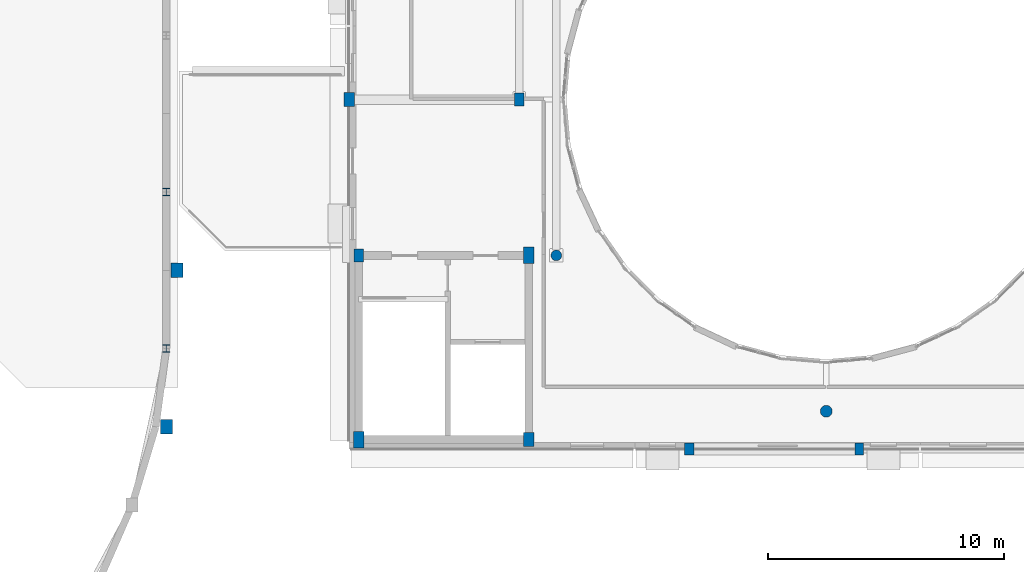
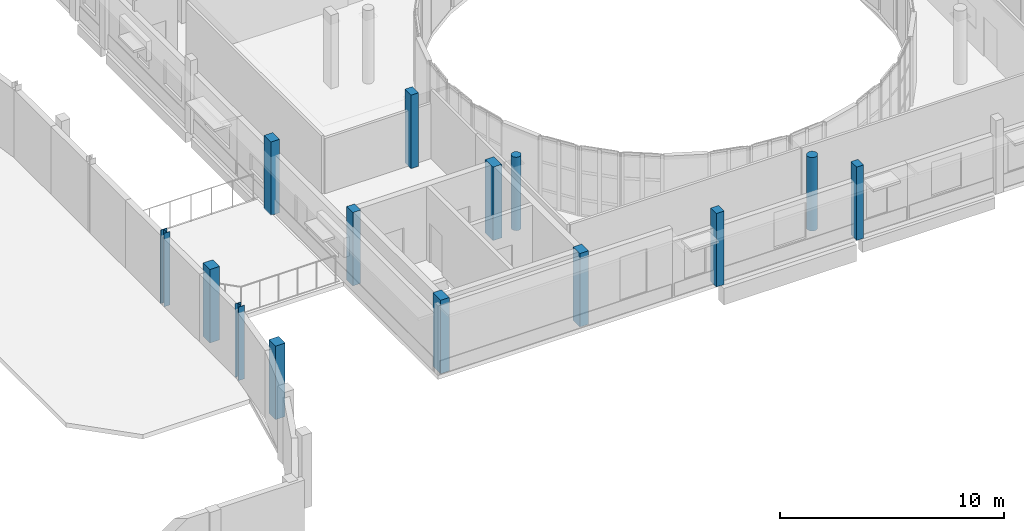
# One storey, part 3 of 89: 14 columns.
"""IFC4 building model written with IfcOpenShell, lengths in metres."""

from ifc_helpers import new_model, si_unit, direction, frame, origin, origin_2d, place, context, subcontext, project, spatial, rectangle, circle, i_section, extrude, material, material_profile, profile_set, type_object, element, save


model = new_model("IFC4")

# Units and contexts
model_context = context("Model", 3, precision=1e-05, world=origin(), true_north=direction((0.0, 1.0)))
body_context = subcontext(model_context, "Body", "Model", "MODEL_VIEW")
ifc_project = project(units=[si_unit("LENGTHUNIT", "METRE"), si_unit("AREAUNIT", "SQUARE_METRE"), si_unit("VOLUMEUNIT", "CUBIC_METRE"), si_unit("PLANEANGLEUNIT", "RADIAN"), si_unit("MASSUNIT", "GRAM", prefix="KILO")], contexts=[model_context])

# Site, building, storey
site_placement = place(None, origin())
site = spatial("IfcSite", under=ifc_project, at=site_placement, CompositionType="ELEMENT")
building_placement = place(site_placement, origin())
building = spatial("IfcBuilding", under=site, at=building_placement, Name="Kelanivale Promenade Academy", CompositionType="ELEMENT")
storey_placement = place(building_placement, frame((0.0, 0.0, 12.199951171875)))
storey = spatial("IfcBuildingStorey", under=building, at=storey_placement, Name="L03", CompositionType="ELEMENT", Elevation=12.199951171875)

# Columns
ifc_material_1 = material(Name="Concrete C40/50", Category="concrete")
ifc_material_profile_1 = material_profile(ifc_material_1, rectangle(XDim=0.39990234375, YDim=0.550048828125, at=origin_2d()), Name="RC-COL 400x550")
ifc_profile_set_1 = profile_set([ifc_material_profile_1], Name="Concrete C40/50")
column_type_1 = type_object("IfcColumnType", Name="C-07 RC-COL 400x550", PredefinedType="COLUMN", material=ifc_profile_set_1)
for number, where, z_axis, x_axis, name in (
    (1, (43.60009765625, 50.199951171875, 0.0), (0.0, 0.0, 1.0), (1.0, 0.0, 0.0), "Column C-07 at (43.6, 50.2) L03"),
    (2, (50.39990234375, 56.800048828125, 0.0), (0.0, 0.0, 1.0), (1.0, 0.0, 0.0), "Column C-07 at (50.4, 56.8) L03"),
):
    element("IfcColumn", number, at=place(storey_placement, frame(where, z_axis=z_axis, x_axis=x_axis)), inside=storey, type_object=column_type_1, Name=name, PredefinedType="COLUMN", context=body_context, shape_type="SweptSolid", body=[
        extrude(rectangle(XDim=0.39990234375, YDim=0.550048828125, at=origin_2d()), origin(), (0.0, 0.0, 1.0), 4.0),
    ])
ifc_material_profile_2 = material_profile(ifc_material_1, rectangle(XDim=0.449951171875, YDim=0.60009765625, at=origin_2d()), Name="RC-COL 450x600")
ifc_profile_set_2 = profile_set([ifc_material_profile_2], Name="Concrete C40/50")
column_type_2 = type_object("IfcColumnType", Name="C-09 RC-COL 450x600", PredefinedType="COLUMN", material=ifc_profile_set_2)
for number, where, z_axis, x_axis, name in (
    (3, (43.199951171875, 56.800048828125, 0.0), (0.0, 0.0, 1.0), (1.0, 0.0, 0.0), "Column C-09 at (43.2, 56.8) L03"),
    (4, (50.800048828125, 42.39990234375, 0.0), (0.0, 0.0, 1.0), (1.0, 0.0, 0.0), "Column C-09 at (50.8, 42.4) L03"),
):
    element("IfcColumn", number, at=place(storey_placement, frame(where, z_axis=z_axis, x_axis=x_axis)), inside=storey, type_object=column_type_2, Name=name, PredefinedType="COLUMN", context=body_context, shape_type="SweptSolid", body=[
        extrude(rectangle(XDim=0.449951171875, YDim=0.60009765625, at=origin_2d()), origin(), (0.0, 0.0, 1.0), 4.0),
    ])
ifc_material_profile_3 = material_profile(ifc_material_1, rectangle(XDim=0.449951171875, YDim=0.699951171875, at=origin_2d()), Name="RC-COL 450x700")
ifc_profile_set_3 = profile_set([ifc_material_profile_3], Name="Concrete C40/50")
column_type_3 = type_object("IfcColumnType", Name="C-10 RC-COL 450x700", PredefinedType="COLUMN", material=ifc_profile_set_3)
for number, where, z_axis, x_axis, name in (
    (5, (43.60009765625, 42.39990234375, 0.0), (0.0, 0.0, 1.0), (1.0, 0.0, 0.0), "Column C-10 at (43.6, 42.4) L03"),
    (6, (50.800048828125, 50.199951171875, 0.0), (0.0, 0.0, 1.0), (1.0, 0.0, 0.0), "Column C-10 at (50.8, 50.2) L03"),
):
    element("IfcColumn", number, at=place(storey_placement, frame(where, z_axis=z_axis, x_axis=x_axis)), inside=storey, type_object=column_type_3, Name=name, PredefinedType="COLUMN", context=body_context, shape_type="SweptSolid", body=[
        extrude(rectangle(XDim=0.449951171875, YDim=0.699951171875, at=origin_2d()), origin(), (0.0, 0.0, 1.0), 4.0),
    ])
ifc_material_profile_4 = material_profile(ifc_material_1, circle(Radius=0.22509765625, at=origin_2d()), Name="RC-COL D450")
ifc_profile_set_4 = profile_set([ifc_material_profile_4], Name="Concrete C40/50")
column_type_4 = type_object("IfcColumnType", Name="CC-19 RC-COL D450", PredefinedType="COLUMN", material=ifc_profile_set_4)
column_1_placement = place(storey_placement, frame((51.968017578125, 50.199951171875, 0.0), z_axis=(0.0, 0.0, 1.0), x_axis=(1.0, 0.0, 0.0)))
element("IfcColumn", 7, at=column_1_placement, inside=storey, type_object=column_type_4, Name="Column CC-19 at (52.0, 50.2) L03", PredefinedType="COLUMN", context=body_context, shape_type="SweptSolid", body=[
    extrude(circle(Radius=0.22509765625, at=origin_2d()), origin(), (0.0, 0.0, 1.0), 4.0),
])
ifc_material_profile_5 = material_profile(ifc_material_1, circle(Radius=0.25, at=origin_2d()), Name="RC-COL D500")
ifc_profile_set_5 = profile_set([ifc_material_profile_5], Name="Concrete C40/50")
column_type_5 = type_object("IfcColumnType", Name="CC-20 RC-COL D500", PredefinedType="COLUMN", material=ifc_profile_set_5)
column_2_placement = place(storey_placement, frame((63.39990234375, 43.60009765625, 0.0), z_axis=(0.0, 0.0, 1.0), x_axis=(1.0, 0.0, 0.0)))
element("IfcColumn", 8, at=column_2_placement, inside=storey, type_object=column_type_5, Name="Column CC-20 at (63.4, 43.6) L03", PredefinedType="COLUMN", context=body_context, shape_type="SweptSolid", body=[
    extrude(circle(Radius=0.25, at=origin_2d()), origin(), (0.0, 0.0, 1.0), 4.0),
])
ifc_material_profile_6 = material_profile(ifc_material_1, rectangle(XDim=0.35009765625, YDim=0.5, at=origin_2d()), Name="RC-PIL 350x500")
ifc_profile_set_6 = profile_set([ifc_material_profile_6], Name="Concrete C40/50")
column_type_6 = type_object("IfcColumnType", Name="PL-15 RC-PIL 350x500", PredefinedType="PILASTER", material=ifc_profile_set_6)
column_3_placement = place(storey_placement, frame((64.800048828125, 42.0, 0.0), z_axis=(0.0, 0.0, 1.0), x_axis=(1.0, 0.0, 0.0)))
element("IfcColumn", 9, at=column_3_placement, inside=storey, type_object=column_type_6, Name="Column PL-15 at (64.8, 42.0) L03", PredefinedType="PILASTER", context=body_context, shape_type="SweptSolid", body=[
    extrude(rectangle(XDim=0.35009765625, YDim=0.5, at=origin_2d()), origin(), (0.0, 0.0, 1.0), 4.0),
])
ifc_material_profile_7 = material_profile(ifc_material_1, rectangle(XDim=0.39990234375, YDim=0.5, at=origin_2d()), Name="RC-PIL 400x500")
ifc_profile_set_7 = profile_set([ifc_material_profile_7], Name="Concrete C40/50")
column_type_7 = type_object("IfcColumnType", Name="PL-16 RC-PIL 400x500", PredefinedType="PILASTER", material=ifc_profile_set_7)
column_4_placement = place(storey_placement, frame((57.60009765625, 42.0, 0.0), z_axis=(0.0, 0.0, 1.0), x_axis=(1.0, 0.0, 0.0)))
element("IfcColumn", 10, at=column_4_placement, inside=storey, type_object=column_type_7, Name="Column PL-16 at (57.6, 42.0) L03", PredefinedType="PILASTER", context=body_context, shape_type="SweptSolid", body=[
    extrude(rectangle(XDim=0.39990234375, YDim=0.5, at=origin_2d()), origin(), (0.0, 0.0, 1.0), 4.0),
])
ifc_material_profile_8 = material_profile(ifc_material_1, rectangle(XDim=0.5, YDim=0.60009765625, at=origin_2d()), Name="RC-PIL 500x600")
ifc_profile_set_8 = profile_set([ifc_material_profile_8], Name="Concrete C40/50")
column_type_8 = type_object("IfcColumnType", Name="PL-18 RC-PIL 500x600", PredefinedType="PILASTER", material=ifc_profile_set_8)
for number, where, z_axis, x_axis, name in (
    (11, (35.4599609375, 42.943115234375, 0.0), (0.0, 0.0, 1.0), (1.0, 0.0, 0.0), "Column PL-18 at (35.5, 42.9) L03"),
    (12, (35.909912109375, 49.571044921875, 0.0), (0.0, 0.0, 1.0), (1.0, 0.0, 0.0), "Column PL-18 at (35.9, 49.6) L03"),
):
    element("IfcColumn", number, at=place(storey_placement, frame(where, z_axis=z_axis, x_axis=x_axis)), inside=storey, type_object=column_type_8, Name=name, PredefinedType="PILASTER", context=body_context, shape_type="SweptSolid", body=[
        extrude(rectangle(XDim=0.5, YDim=0.60009765625, at=origin_2d()), origin(), (0.0, 0.0, 1.0), 4.0),
    ])
ifc_material_2 = material(Name="Steel S355", Category="steel")
ifc_material_profile_9 = material_profile(ifc_material_2, i_section(OverallWidth=0.307373046875, OverallDepth=0.314453125, WebThickness=0.011962890625, FlangeThickness=0.018798828125, FilletRadius=0.01513671875, at=origin_2d()), Name="UC 305x305x118")
ifc_profile_set_9 = profile_set([ifc_material_profile_9], Name="Steel S355")
column_type_9 = type_object("IfcColumnType", Name="SC-04 UC 305x305x118", PredefinedType="COLUMN", material=ifc_profile_set_9)
for number, where, z_axis, x_axis, name in (
    (13, (35.449951171875, 46.257080078125, 0.0), (0.0, 0.0, 1.0), (1.0, 0.0, 0.0), "Column SC-04 at (35.5, 46.3) L03"),
    (14, (35.449951171875, 52.885986328125, 0.0), (0.0, 0.0, 1.0), (1.0, 0.0, 0.0), "Column SC-04 at (35.5, 52.9) L03"),
):
    element("IfcColumn", number, at=place(storey_placement, frame(where, z_axis=z_axis, x_axis=x_axis)), inside=storey, type_object=column_type_9, Name=name, PredefinedType="COLUMN", context=body_context, shape_type="SweptSolid", body=[
        extrude(i_section(OverallWidth=0.307373046875, OverallDepth=0.314453125, WebThickness=0.011962890625, FlangeThickness=0.018798828125, FilletRadius=0.01513671875, at=origin_2d()), origin(), (0.0, 0.0, 1.0), 4.0),
    ])

save(model, "model.ifc")
